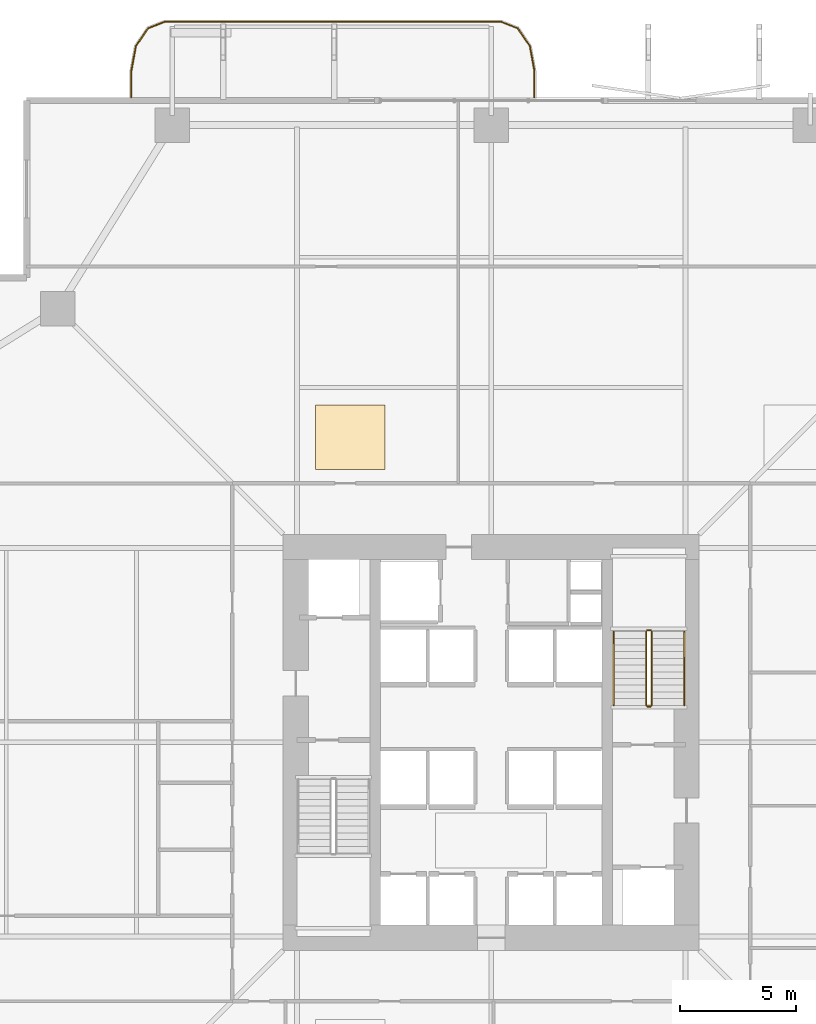
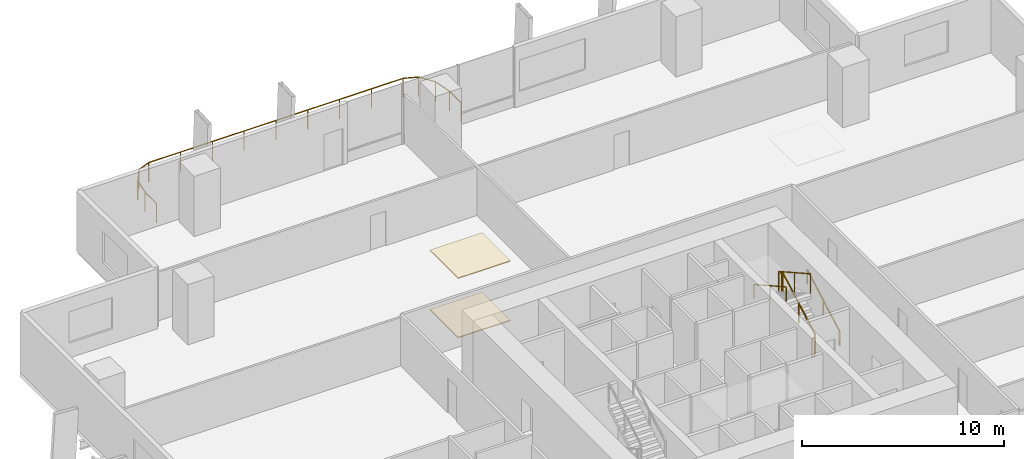
# One storey, part 23 of 24: 7 railings, 2 coverings.
"""IFC4 building model written with IfcOpenShell, lengths in metres."""

from ifc_helpers import new_model, si_unit, direction, frame, origin, origin_2d, place, context, subcontext, project, spatial, polyline, rectangle, outline, extrude, material, layer, layer_set, type_object, element, save


model = new_model("IFC4")

# Units and contexts
model_context = context("Model", 3, precision=1e-05, world=origin(), true_north=direction((0.0, 1.0)))
body_context = subcontext(model_context, "Body", "Model", "MODEL_VIEW")
ifc_project = project(units=[si_unit("LENGTHUNIT", "METRE"), si_unit("AREAUNIT", "SQUARE_METRE"), si_unit("VOLUMEUNIT", "CUBIC_METRE"), si_unit("PLANEANGLEUNIT", "RADIAN"), si_unit("MASSUNIT", "GRAM", prefix="KILO")], contexts=[model_context])

# Site, building, storey
site_placement = place(None, origin())
site = spatial("IfcSite", under=ifc_project, at=site_placement, CompositionType="ELEMENT")
building_placement = place(site_placement, origin())
building = spatial("IfcBuilding", under=site, at=building_placement, Name="Belovzor Exchange Tower", CompositionType="ELEMENT")
storey_placement = place(building_placement, frame((0.0, 0.0, 49.5)))
storey = spatial("IfcBuildingStorey", under=building, at=storey_placement, Name="L11", CompositionType="ELEMENT", Elevation=49.5)

# Railings
ifc_material_1 = material(Name="Stainless Steel Grade 304", Category="steel")
railing_type_1 = type_object("IfcRailingType", Name="Brushed Stainless Steel Stair Handrail 900", PredefinedType="HANDRAIL", material=ifc_material_1)
railing_1_placement = place(storey_placement, frame((37.14990234375, 30.39990234375, 0.16259765625)))
element("IfcRailing", 1, at=railing_1_placement, inside=storey, type_object=railing_type_1, Name="L11 ST-2 stair handrail 1", PredefinedType="HANDRAIL", context=body_context, shape_type="SweptSolid", body=[
    extrude(rectangle(XDim=0.048095703125, YDim=0.048095703125, at=origin_2d()), frame((0.0, 0.0, 0.8759765625), z_axis=(0.0, 0.872406949647, 0.488780230991), x_axis=(-1.0, 0.0, 0.0)), (0.0, 0.0, 1.0), 3.65673828125),
    extrude(rectangle(XDim=0.0419921875, YDim=0.0419921875, at=origin_2d()), origin(), (0.0, 0.0, 1.0), 0.851806640625),
    extrude(rectangle(XDim=0.0419921875, YDim=0.0419921875, at=origin_2d()), frame((0.0, 1.59521484375, 0.8935546875)), (0.0, 0.0, 1.0), 0.851806640625),
    extrude(rectangle(XDim=0.0419921875, YDim=0.0419921875, at=origin_2d()), frame((0.0, 3.190185546875, 1.787353515625)), (0.0, 0.0, 1.0), 0.851806640625),
])
railing_2_placement = place(storey_placement, frame((34.10009765625, 33.590087890625, 2.112548828125)))
element("IfcRailing", 2, at=railing_2_placement, inside=storey, type_object=railing_type_1, Name="L11 ST-2 stair handrail 2", PredefinedType="HANDRAIL", context=body_context, shape_type="SweptSolid", body=[
    extrude(rectangle(XDim=0.048095703125, YDim=0.048095703125, at=origin_2d()), frame((0.0, 0.0, 0.8759765625), z_axis=(0.0, -0.872406949647, 0.488780230991), x_axis=(1.0, 0.0, 0.0)), (0.0, 0.0, 1.0), 3.65673828125),
    extrude(rectangle(XDim=0.0419921875, YDim=0.0419921875, at=origin_2d()), origin(), (0.0, 0.0, 1.0), 0.851806640625),
    extrude(rectangle(XDim=0.0419921875, YDim=0.0419921875, at=origin_2d()), frame((0.0, -1.59521484375, 0.8935546875)), (0.0, 0.0, 1.0), 0.851806640625),
    extrude(rectangle(XDim=0.0419921875, YDim=0.0419921875, at=origin_2d()), frame((0.0, -3.190185546875, 1.787353515625)), (0.0, 0.0, 1.0), 0.851806640625),
])
ifc_material_2 = material(Name="Stainless Steel and Laminated Safety Glass", Category="steel")
railing_type_2 = type_object("IfcRailingType", Name="Laminated Glass & Stainless Steel Balcony Balustrade 1200", PredefinedType="BALUSTRADE", material=ifc_material_2)
railing_3_placement = place(storey_placement, frame((30.669921875, 56.7099609375, 0.0)))
element("IfcRailing", 3, at=railing_3_placement, inside=storey, type_object=railing_type_2, Name="GR-1 Balcony Balustrade L11 North", PredefinedType="BALUSTRADE", context=body_context, shape_type="SweptSolid", body=[
    extrude(rectangle(XDim=0.048095703125, YDim=0.048095703125, at=origin_2d()), frame((0.0, 0.0, 1.17578125), z_axis=(0.0, 1.0, 0.0), x_axis=(-1.0, 0.0, 0.0)), (0.0, 0.0, 1.0), 1.133056640625),
    extrude(rectangle(XDim=0.048095703125, YDim=0.048095703125, at=origin_2d()), frame((0.0, 1.133056640625, 1.17578125), z_axis=(-0.180122719713, 0.983644145941, 0.0), x_axis=(-0.983644145941, -0.180122719713, 0.0)), (0.0, 0.0, 1.0), 1.09375),
    extrude(rectangle(XDim=0.048095703125, YDim=0.048095703125, at=origin_2d()), frame((-0.197021484375, 2.208984375, 1.17578125), z_axis=(-0.562768145367, 0.826614792125, 0.0), x_axis=(-0.826614792125, -0.562768145367, 0.0)), (0.0, 0.0, 1.0), 0.9326171875),
    extrude(rectangle(XDim=0.048095703125, YDim=0.048095703125, at=origin_2d()), frame((-0.721923828125, 2.97998046875, 1.17578125), z_axis=(-0.930766990125, 0.365612923861, 0.0), x_axis=(-0.365612923861, -0.930766990125, 0.0)), (0.0, 0.0, 1.0), 0.765869140625),
    extrude(rectangle(XDim=0.048095703125, YDim=0.048095703125, at=origin_2d()), frame((-1.434814453125, 3.260009765625, 1.17578125), z_axis=(-1.0, 0.0, 0.0), x_axis=(0.0, -1.0, 0.0)), (0.0, 0.0, 1.0), 14.570068359375),
    extrude(rectangle(XDim=0.048095703125, YDim=0.048095703125, at=origin_2d()), frame((-16.0048828125, 3.260009765625, 1.17578125), z_axis=(-0.930809580156, -0.365504480807, 0.0), x_axis=(0.365504480807, -0.930809580156, 0.0)), (0.0, 0.0, 1.0), 0.76611328125),
    extrude(rectangle(XDim=0.048095703125, YDim=0.048095703125, at=origin_2d()), frame((-16.718017578125, 2.97998046875, 1.17578125), z_axis=(-0.562768145367, -0.826614792125, 0.0), x_axis=(0.826614792125, -0.562768145367, 0.0)), (0.0, 0.0, 1.0), 0.9326171875),
    extrude(rectangle(XDim=0.048095703125, YDim=0.048095703125, at=origin_2d()), frame((-17.242919921875, 2.208984375, 1.17578125), z_axis=(-0.180122719713, -0.983644145941, 0.0), x_axis=(0.983644145941, -0.180122719713, 0.0)), (0.0, 0.0, 1.0), 1.09375),
    extrude(rectangle(XDim=0.048095703125, YDim=0.048095703125, at=origin_2d()), frame((-17.43994140625, 1.133056640625, 1.17578125), z_axis=(0.0, -1.0, 0.0), x_axis=(1.0, 0.0, 0.0)), (0.0, 0.0, 1.0), 1.133056640625),
    extrude(rectangle(XDim=0.0419921875, YDim=0.0419921875, at=origin_2d()), origin(), (0.0, 0.0, 1.0), 1.15185546875),
    extrude(rectangle(XDim=0.0419921875, YDim=0.0419921875, at=origin_2d()), frame((0.0, 1.133056640625, 0.0)), (0.0, 0.0, 1.0), 1.15185546875),
    extrude(rectangle(XDim=0.0419921875, YDim=0.0419921875, at=origin_2d()), frame((-0.197021484375, 2.208984375, 0.0)), (0.0, 0.0, 1.0), 1.15185546875),
    extrude(rectangle(XDim=0.0419921875, YDim=0.0419921875, at=origin_2d()), frame((-0.721923828125, 2.97998046875, 0.0)), (0.0, 0.0, 1.0), 1.15185546875),
    extrude(rectangle(XDim=0.0419921875, YDim=0.0419921875, at=origin_2d()), frame((-1.434814453125, 3.260009765625, 0.0)), (0.0, 0.0, 1.0), 1.15185546875),
    extrude(rectangle(XDim=0.0419921875, YDim=0.0419921875, at=origin_2d()), frame((-3.256103515625, 3.260009765625, 0.0)), (0.0, 0.0, 1.0), 1.15185546875),
    extrude(rectangle(XDim=0.0419921875, YDim=0.0419921875, at=origin_2d()), frame((-5.077392578125, 3.260009765625, 0.0)), (0.0, 0.0, 1.0), 1.15185546875),
    extrude(rectangle(XDim=0.0419921875, YDim=0.0419921875, at=origin_2d()), frame((-6.898681640625, 3.260009765625, 0.0)), (0.0, 0.0, 1.0), 1.15185546875),
    extrude(rectangle(XDim=0.0419921875, YDim=0.0419921875, at=origin_2d()), frame((-8.7197265625, 3.260009765625, 0.0)), (0.0, 0.0, 1.0), 1.15185546875),
    extrude(rectangle(XDim=0.0419921875, YDim=0.0419921875, at=origin_2d()), frame((-10.541015625, 3.260009765625, 0.0)), (0.0, 0.0, 1.0), 1.15185546875),
    extrude(rectangle(XDim=0.0419921875, YDim=0.0419921875, at=origin_2d()), frame((-12.3623046875, 3.260009765625, 0.0)), (0.0, 0.0, 1.0), 1.15185546875),
    extrude(rectangle(XDim=0.0419921875, YDim=0.0419921875, at=origin_2d()), frame((-14.18359375, 3.260009765625, 0.0)), (0.0, 0.0, 1.0), 1.15185546875),
    extrude(rectangle(XDim=0.0419921875, YDim=0.0419921875, at=origin_2d()), frame((-16.0048828125, 3.260009765625, 0.0)), (0.0, 0.0, 1.0), 1.15185546875),
    extrude(rectangle(XDim=0.0419921875, YDim=0.0419921875, at=origin_2d()), frame((-16.718017578125, 2.97998046875, 0.0)), (0.0, 0.0, 1.0), 1.15185546875),
    extrude(rectangle(XDim=0.0419921875, YDim=0.0419921875, at=origin_2d()), frame((-17.242919921875, 2.208984375, 0.0)), (0.0, 0.0, 1.0), 1.15185546875),
    extrude(rectangle(XDim=0.0419921875, YDim=0.0419921875, at=origin_2d()), frame((-17.43994140625, 1.133056640625, 0.0)), (0.0, 0.0, 1.0), 1.15185546875),
    extrude(rectangle(XDim=0.0419921875, YDim=0.0419921875, at=origin_2d()), frame((-17.43994140625, 0.0, 0.0)), (0.0, 0.0, 1.0), 1.15185546875),
])
ifc_material_3 = material(Name="Steel S355", Category="steel")
railing_type_3 = type_object("IfcRailingType", Name="Painted Steel Stairwell Guardrail 1200", PredefinedType="GUARDRAIL", material=ifc_material_3)
railing_4_placement = place(storey_placement, frame((35.75, 30.39990234375, 0.16259765625)))
element("IfcRailing", 4, at=railing_4_placement, inside=storey, type_object=railing_type_3, Name="L11 ST-2 stair guard 1", PredefinedType="GUARDRAIL", context=body_context, shape_type="SweptSolid", body=[
    extrude(rectangle(XDim=0.048095703125, YDim=0.048095703125, at=origin_2d()), frame((0.0, 0.0, 1.17578125), z_axis=(0.0, 0.872406949647, 0.488780230991), x_axis=(-1.0, 0.0, 0.0)), (0.0, 0.0, 1.0), 3.65673828125),
    extrude(rectangle(XDim=0.0419921875, YDim=0.0419921875, at=origin_2d()), origin(), (0.0, 0.0, 1.0), 1.15185546875),
    extrude(rectangle(XDim=0.0419921875, YDim=0.0419921875, at=origin_2d()), frame((0.0, 1.59521484375, 0.8935546875)), (0.0, 0.0, 1.0), 1.15185546875),
    extrude(rectangle(XDim=0.0419921875, YDim=0.0419921875, at=origin_2d()), frame((0.0, 3.190185546875, 1.787353515625)), (0.0, 0.0, 1.0), 1.15185546875),
])
railing_5_placement = place(storey_placement, frame((35.699951171875, 33.639892578125, 1.949951171875)))
element("IfcRailing", 5, at=railing_5_placement, inside=storey, type_object=railing_type_3, Name="L11 ST-2 stair guard 2", PredefinedType="GUARDRAIL", context=body_context, shape_type="SweptSolid", body=[
    extrude(rectangle(XDim=0.048095703125, YDim=0.048095703125, at=origin_2d()), frame((0.0, 0.0, 1.17578125), z_axis=(-1.0, 0.0, 0.0), x_axis=(0.0, -1.0, 0.0)), (0.0, 0.0, 1.0), 0.14990234375),
    extrude(rectangle(XDim=0.0419921875, YDim=0.0419921875, at=origin_2d()), origin(), (0.0, 0.0, 1.0), 1.15185546875),
    extrude(rectangle(XDim=0.0419921875, YDim=0.0419921875, at=origin_2d()), frame((-0.14990234375, 0.0, 0.0)), (0.0, 0.0, 1.0), 1.15185546875),
])
railing_6_placement = place(storey_placement, frame((35.5, 33.590087890625, 2.112548828125)))
element("IfcRailing", 6, at=railing_6_placement, inside=storey, type_object=railing_type_3, Name="L11 ST-2 stair guard 3", PredefinedType="GUARDRAIL", context=body_context, shape_type="SweptSolid", body=[
    extrude(rectangle(XDim=0.048095703125, YDim=0.048095703125, at=origin_2d()), frame((0.0, 0.0, 1.17578125), z_axis=(0.0, -0.872406949647, 0.488780230991), x_axis=(1.0, 0.0, 0.0)), (0.0, 0.0, 1.0), 3.65673828125),
    extrude(rectangle(XDim=0.0419921875, YDim=0.0419921875, at=origin_2d()), origin(), (0.0, 0.0, 1.0), 1.15185546875),
    extrude(rectangle(XDim=0.0419921875, YDim=0.0419921875, at=origin_2d()), frame((0.0, -1.59521484375, 0.8935546875)), (0.0, 0.0, 1.0), 1.15185546875),
    extrude(rectangle(XDim=0.0419921875, YDim=0.0419921875, at=origin_2d()), frame((0.0, -3.190185546875, 1.787353515625)), (0.0, 0.0, 1.0), 1.15185546875),
])
railing_7_placement = place(storey_placement, frame((35.699951171875, 30.35009765625, 0.0)))
element("IfcRailing", 7, at=railing_7_placement, inside=storey, type_object=railing_type_3, Name="L11 ST-2 stair guard 4", PredefinedType="GUARDRAIL", context=body_context, shape_type="SweptSolid", body=[
    extrude(rectangle(XDim=0.048095703125, YDim=0.048095703125, at=origin_2d()), frame((0.0, 0.0, 1.17578125), z_axis=(-1.0, 0.0, 0.0), x_axis=(0.0, -1.0, 0.0)), (0.0, 0.0, 1.0), 0.14990234375),
    extrude(rectangle(XDim=0.0419921875, YDim=0.0419921875, at=origin_2d()), origin(), (0.0, 0.0, 1.0), 1.15185546875),
    extrude(rectangle(XDim=0.0419921875, YDim=0.0419921875, at=origin_2d()), frame((-0.14990234375, 0.0, 0.0)), (0.0, 0.0, 1.0), 1.15185546875),
])

# Coverings
ifc_material_4 = material(Name="Perforated Powder-Coated Aluminium", Category="aluminium")
ifc_layer_1 = layer(ifc_material_4, 0.06005859375)
ifc_layer_set_1 = layer_set([ifc_layer_1], Name="Perforated Powder-Coated Aluminium")
covering_type_1 = type_object("IfcCoveringType", Name="Perforated Acoustic Metal Tile Suspended Ceiling 60", PredefinedType="CEILING", material=ifc_layer_set_1)
covering_1_placement = place(storey_placement, frame((0.0, 0.0, 3.590087890625)))
element("IfcCovering", 8, at=covering_1_placement, inside=storey, type_object=covering_type_1, Name="CLG-AC60 Suspended Ceiling CLG-L11-Z3", PredefinedType="CEILING", context=body_context, shape_type="SweptSolid", body=[
    extrude(outline(polyline([(21.199951171875, 40.60009765625), (24.199951171875, 40.60009765625), (24.199951171875, 43.39990234375), (21.199951171875, 43.39990234375), (21.199951171875, 40.60009765625)])), origin(), (0.0, 0.0, 1.0), 0.059814453125),
])
ifc_material_5 = material(Name="Polished Natural Granite Tile", Category="masonry")
ifc_layer_2 = layer(ifc_material_5, 0.050048828125)
ifc_layer_set_2 = layer_set([ifc_layer_2], Name="Polished Natural Granite Tile")
covering_type_2 = type_object("IfcCoveringType", Name="Polished Karelian Granite & Raised Access Floor Finish 50", PredefinedType="FLOORING", material=ifc_layer_set_2)
covering_2_placement = place(storey_placement, origin())
element("IfcCovering", 9, at=covering_2_placement, inside=storey, type_object=covering_type_2, Name="FLR-GR50 Floor Finish FLR-L11-Z3", PredefinedType="FLOORING", context=body_context, shape_type="SweptSolid", body=[
    extrude(outline(polyline([(21.199951171875, 40.60009765625), (24.199951171875, 40.60009765625), (24.199951171875, 43.39990234375), (21.199951171875, 43.39990234375), (21.199951171875, 40.60009765625)])), origin(), (0.0, 0.0, 1.0), 0.050048828125),
])

save(model, "model.ifc")
